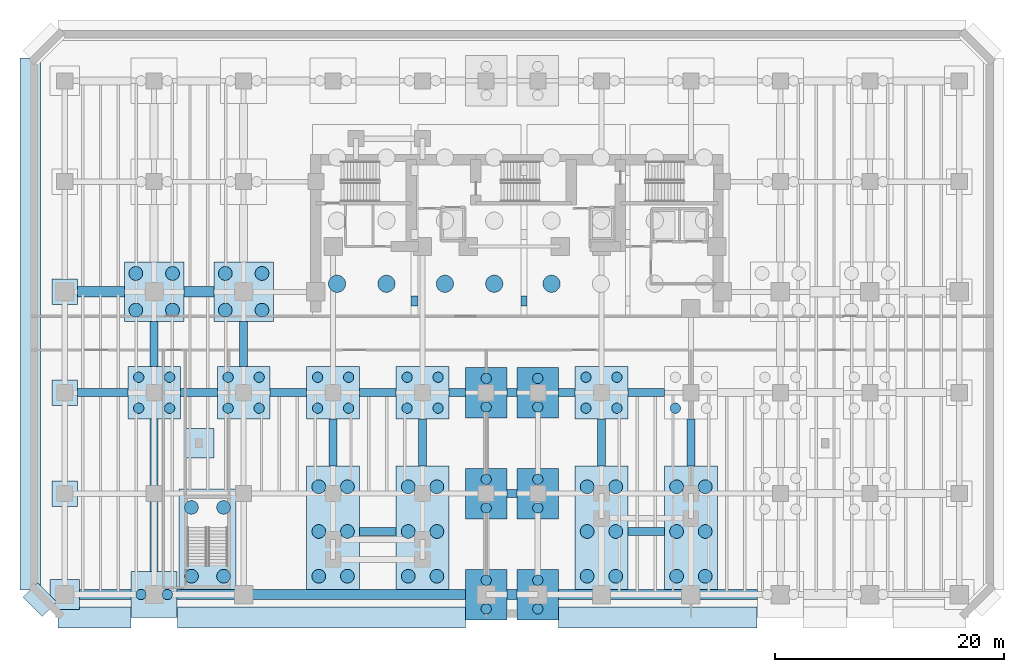
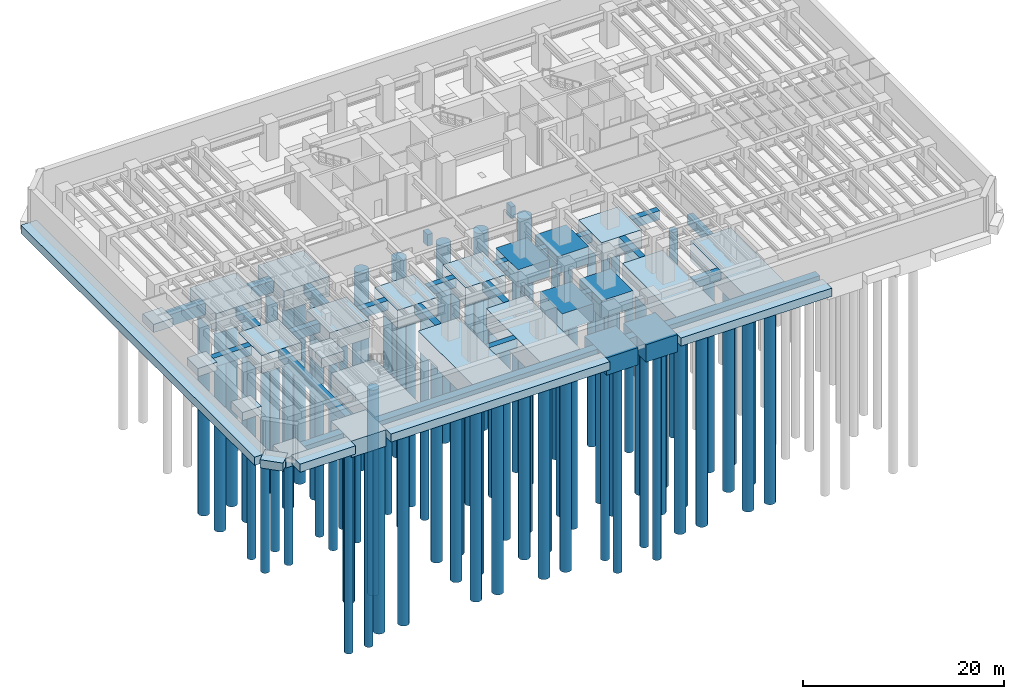
# One storey, part 1 of 13: 76 piles, 55 footings.
"""IFC4 building model written with IfcOpenShell, lengths in metres."""

from ifc_helpers import new_model, si_unit, direction, frame, origin, origin_2d, place, context, subcontext, project, spatial, rectangle, circle, extrude, material, material_profile, profile_set, type_object, element, save


model = new_model("IFC4")

# Units and contexts
model_context = context("Model", 3, precision=1e-05, world=origin(), true_north=direction((0.0, 1.0)))
body_context = subcontext(model_context, "Body", "Model", "MODEL_VIEW")
ifc_project = project(units=[si_unit("LENGTHUNIT", "METRE"), si_unit("AREAUNIT", "SQUARE_METRE"), si_unit("VOLUMEUNIT", "CUBIC_METRE"), si_unit("PLANEANGLEUNIT", "RADIAN"), si_unit("MASSUNIT", "GRAM", prefix="KILO")], contexts=[model_context])

# Site, building, storey
site_placement = place(None, origin())
site = spatial("IfcSite", under=ifc_project, at=site_placement, CompositionType="ELEMENT")
building_placement = place(site_placement, origin())
building = spatial("IfcBuilding", under=site, at=building_placement, Name="Kestravale Grand Hotel", CompositionType="ELEMENT")
storey_placement = place(building_placement, frame((0.0, 0.0, -9.0)))
storey = spatial("IfcBuildingStorey", under=building, at=storey_placement, Name="B2", CompositionType="ELEMENT", Elevation=-9.0)

# Footings
ifc_material_1 = material(Name="Concrete f'c 45 MPa", Category="concrete")
ifc_material_profile_1 = material_profile(ifc_material_1, rectangle(XDim=0.89990234375, YDim=1.39990234375, at=origin_2d()))
ifc_profile_set_1 = profile_set([ifc_material_profile_1], Name="Concrete f'c 45 MPa")
footing_type_1 = type_object("IfcFootingType", Name="FB-TIE-1", PredefinedType="FOOTING_BEAM", material=ifc_profile_set_1)
footing_1_placement = place(storey_placement, frame((30.199951171875, 28.0, -0.699951171875), z_axis=(1.0, 0.0, 0.0), x_axis=(0.0, 1.0, 0.0)))
element("IfcFooting", 1, at=footing_1_placement, inside=storey, type_object=footing_type_1, Name="Core tie beam 1.1", PredefinedType="FOOTING_BEAM", context=body_context, shape_type="SweptSolid", body=[
    extrude(rectangle(XDim=0.89990234375, YDim=1.39990234375, at=origin_2d()), origin(), (0.0, 0.0, 1.0), 0.60009765625),
])
footing_2_placement = place(storey_placement, frame((39.800048828125, 28.0, -0.699951171875), z_axis=(1.0, 0.0, 0.0), x_axis=(0.0, 1.0, 0.0)))
element("IfcFooting", 2, at=footing_2_placement, inside=storey, type_object=footing_type_1, Name="Core tie beam 2.1", PredefinedType="FOOTING_BEAM", context=body_context, shape_type="SweptSolid", body=[
    extrude(rectangle(XDim=0.89990234375, YDim=1.39990234375, at=origin_2d()), origin(), (0.0, 0.0, 1.0), 0.5),
])
footing_3_placement = place(storey_placement, frame((1.300048828125, 2.39990234375, -0.699951171875), z_axis=(1.0, 0.0, 0.0), x_axis=(0.0, 1.0, 0.0)))
element("IfcFooting", 3, at=footing_3_placement, inside=storey, type_object=footing_type_1, Name="Foundation tie beam B:1-2", PredefinedType="FOOTING_BEAM", context=body_context, shape_type="SweptSolid", body=[
    extrude(rectangle(XDim=0.89990234375, YDim=1.39990234375, at=origin_2d()), origin(), (0.0, 0.0, 1.0), 4.5),
])
footing_4_placement = place(storey_placement, frame((9.800048828125, 2.39990234375, -0.699951171875), z_axis=(1.0, 0.0, 0.0), x_axis=(0.0, 1.0, 0.0)))
element("IfcFooting", 4, at=footing_4_placement, inside=storey, type_object=footing_type_1, Name="Foundation tie beam B:2-6", PredefinedType="FOOTING_BEAM", context=body_context, shape_type="SweptSolid", body=[
    extrude(rectangle(XDim=0.89990234375, YDim=1.39990234375, at=origin_2d()), origin(), (0.0, 0.0, 1.0), 25.14990234375),
])
footing_5_placement = place(storey_placement, frame((38.550048828125, 2.39990234375, -0.699951171875), z_axis=(1.0, 0.0, 0.0), x_axis=(0.0, 1.0, 0.0)))
element("IfcFooting", 5, at=footing_5_placement, inside=storey, type_object=footing_type_1, Name="Foundation tie beam B:6-7", PredefinedType="FOOTING_BEAM", context=body_context, shape_type="SweptSolid", body=[
    extrude(rectangle(XDim=0.89990234375, YDim=1.39990234375, at=origin_2d()), origin(), (0.0, 0.0, 1.0), 0.89990234375),
])
footing_6_placement = place(storey_placement, frame((43.050048828125, 2.39990234375, -0.699951171875), z_axis=(1.0, 0.0, 0.0), x_axis=(0.0, 1.0, 0.0)))
element("IfcFooting", 6, at=footing_6_placement, inside=storey, type_object=footing_type_1, Name="Foundation tie beam B:7-10", PredefinedType="FOOTING_BEAM", context=body_context, shape_type="SweptSolid", body=[
    extrude(rectangle(XDim=0.89990234375, YDim=1.39990234375, at=origin_2d()), origin(), (0.0, 0.0, 1.0), 17.349853515625),
])
footing_7_placement = place(storey_placement, frame((1.10009765625, 28.800048828125, -0.699951171875), z_axis=(1.0, 0.0, 0.0), x_axis=(0.0, 1.0, 0.0)))
element("IfcFooting", 7, at=footing_7_placement, inside=storey, type_object=footing_type_1, Name="Foundation tie beam E:1-2", PredefinedType="FOOTING_BEAM", context=body_context, shape_type="SweptSolid", body=[
    extrude(rectangle(XDim=0.89990234375, YDim=1.39990234375, at=origin_2d()), origin(), (0.0, 0.0, 1.0), 4.099853515625),
])
footing_8_placement = place(storey_placement, frame((10.39990234375, 28.800048828125, -0.699951171875), z_axis=(1.0, 0.0, 0.0), x_axis=(0.0, 1.0, 0.0)))
element("IfcFooting", 8, at=footing_8_placement, inside=storey, type_object=footing_type_1, Name="Foundation tie beam E:2-3", PredefinedType="FOOTING_BEAM", context=body_context, shape_type="SweptSolid", body=[
    extrude(rectangle(XDim=0.89990234375, YDim=1.39990234375, at=origin_2d()), origin(), (0.0, 0.0, 1.0), 2.60009765625),
])
ifc_material_2 = material(Name="Concrete f'c 40 MPa", Category="concrete")
ifc_material_profile_2 = material_profile(ifc_material_2, rectangle(XDim=0.699951171875, YDim=1.10009765625, at=origin_2d()))
ifc_profile_set_2 = profile_set([ifc_material_profile_2], Name="Concrete f'c 40 MPa")
footing_type_2 = type_object("IfcFootingType", Name="FB-TIE-2", PredefinedType="FOOTING_BEAM", material=ifc_profile_set_2)
footing_9_placement = place(storey_placement, frame((25.699951171875, 7.89990234375, -0.550048828125), z_axis=(1.0, 0.0, 0.0), x_axis=(0.0, 1.0, 0.0)))
element("IfcFooting", 9, at=footing_9_placement, inside=storey, type_object=footing_type_2, Name="Foundation tie beam C:4-5", PredefinedType="FOOTING_BEAM", context=body_context, shape_type="SweptSolid", body=[
    extrude(rectangle(XDim=0.699951171875, YDim=1.10009765625, at=origin_2d()), origin(), (0.0, 0.0, 1.0), 3.199951171875),
])
footing_10_placement = place(storey_placement, frame((38.550048828125, 11.199951171875, -0.550048828125), z_axis=(1.0, 0.0, 0.0), x_axis=(0.0, 1.0, 0.0)))
element("IfcFooting", 10, at=footing_10_placement, inside=storey, type_object=footing_type_2, Name="Foundation tie beam C:6-7", PredefinedType="FOOTING_BEAM", context=body_context, shape_type="SweptSolid", body=[
    extrude(rectangle(XDim=0.699951171875, YDim=1.10009765625, at=origin_2d()), origin(), (0.0, 0.0, 1.0), 0.89990234375),
])
footing_11_placement = place(storey_placement, frame((49.10009765625, 7.89990234375, -0.550048828125), z_axis=(1.0, 0.0, 0.0), x_axis=(0.0, 1.0, 0.0)))
element("IfcFooting", 11, at=footing_11_placement, inside=storey, type_object=footing_type_2, Name="Foundation tie beam C:8-9", PredefinedType="FOOTING_BEAM", context=body_context, shape_type="SweptSolid", body=[
    extrude(rectangle(XDim=0.699951171875, YDim=1.10009765625, at=origin_2d()), origin(), (0.0, 0.0, 1.0), 3.199951171875),
])
footing_12_placement = place(storey_placement, frame((1.10009765625, 20.0, -0.550048828125), z_axis=(1.0, 0.0, 0.0), x_axis=(0.0, 1.0, 0.0)))
element("IfcFooting", 12, at=footing_12_placement, inside=storey, type_object=footing_type_2, Name="Foundation tie beam D:1-2", PredefinedType="FOOTING_BEAM", context=body_context, shape_type="SweptSolid", body=[
    extrude(rectangle(XDim=0.699951171875, YDim=1.10009765625, at=origin_2d()), origin(), (0.0, 0.0, 1.0), 4.39990234375),
])
footing_13_placement = place(storey_placement, frame((10.10009765625, 20.0, -0.550048828125), z_axis=(1.0, 0.0, 0.0), x_axis=(0.0, 1.0, 0.0)))
element("IfcFooting", 13, at=footing_13_placement, inside=storey, type_object=footing_type_2, Name="Foundation tie beam D:2-3", PredefinedType="FOOTING_BEAM", context=body_context, shape_type="SweptSolid", body=[
    extrude(rectangle(XDim=0.699951171875, YDim=1.10009765625, at=origin_2d()), origin(), (0.0, 0.0, 1.0), 3.199951171875),
])
footing_14_placement = place(storey_placement, frame((17.89990234375, 20.0, -0.550048828125), z_axis=(1.0, 0.0, 0.0), x_axis=(0.0, 1.0, 0.0)))
element("IfcFooting", 14, at=footing_14_placement, inside=storey, type_object=footing_type_2, Name="Foundation tie beam D:3-4", PredefinedType="FOOTING_BEAM", context=body_context, shape_type="SweptSolid", body=[
    extrude(rectangle(XDim=0.699951171875, YDim=1.10009765625, at=origin_2d()), origin(), (0.0, 0.0, 1.0), 3.2001953125),
])
footing_15_placement = place(storey_placement, frame((25.699951171875, 20.0, -0.550048828125), z_axis=(1.0, 0.0, 0.0), x_axis=(0.0, 1.0, 0.0)))
element("IfcFooting", 15, at=footing_15_placement, inside=storey, type_object=footing_type_2, Name="Foundation tie beam D:4-5", PredefinedType="FOOTING_BEAM", context=body_context, shape_type="SweptSolid", body=[
    extrude(rectangle(XDim=0.699951171875, YDim=1.10009765625, at=origin_2d()), origin(), (0.0, 0.0, 1.0), 3.199951171875),
])
footing_16_placement = place(storey_placement, frame((33.5, 20.0, -0.550048828125), z_axis=(1.0, 0.0, 0.0), x_axis=(0.0, 1.0, 0.0)))
element("IfcFooting", 16, at=footing_16_placement, inside=storey, type_object=footing_type_2, Name="Foundation tie beam D:5-6", PredefinedType="FOOTING_BEAM", context=body_context, shape_type="SweptSolid", body=[
    extrude(rectangle(XDim=0.699951171875, YDim=1.10009765625, at=origin_2d()), origin(), (0.0, 0.0, 1.0), 1.449951171875),
])
footing_17_placement = place(storey_placement, frame((38.550048828125, 20.0, -0.550048828125), z_axis=(1.0, 0.0, 0.0), x_axis=(0.0, 1.0, 0.0)))
element("IfcFooting", 17, at=footing_17_placement, inside=storey, type_object=footing_type_2, Name="Foundation tie beam D:6-7", PredefinedType="FOOTING_BEAM", context=body_context, shape_type="SweptSolid", body=[
    extrude(rectangle(XDim=0.699951171875, YDim=1.10009765625, at=origin_2d()), origin(), (0.0, 0.0, 1.0), 0.89990234375),
])
footing_18_placement = place(storey_placement, frame((43.050048828125, 20.0, -0.550048828125), z_axis=(1.0, 0.0, 0.0), x_axis=(0.0, 1.0, 0.0)))
element("IfcFooting", 18, at=footing_18_placement, inside=storey, type_object=footing_type_2, Name="Foundation tie beam D:7-8", PredefinedType="FOOTING_BEAM", context=body_context, shape_type="SweptSolid", body=[
    extrude(rectangle(XDim=0.699951171875, YDim=1.10009765625, at=origin_2d()), origin(), (0.0, 0.0, 1.0), 1.449951171875),
])
footing_19_placement = place(storey_placement, frame((49.10009765625, 20.0, -0.550048828125), z_axis=(1.0, 0.0, 0.0), x_axis=(0.0, 1.0, 0.0)))
element("IfcFooting", 19, at=footing_19_placement, inside=storey, type_object=footing_type_2, Name="Foundation tie beam D:8-9", PredefinedType="FOOTING_BEAM", context=body_context, shape_type="SweptSolid", body=[
    extrude(rectangle(XDim=0.699951171875, YDim=1.10009765625, at=origin_2d()), origin(), (0.0, 0.0, 1.0), 3.199951171875),
])
footing_20_placement = place(storey_placement, frame((7.800048828125, 4.39990234375, -0.550048828125), z_axis=(0.0, 1.0, 0.0), x_axis=(-1.0, 0.0, 0.0)))
element("IfcFooting", 20, at=footing_20_placement, inside=storey, type_object=footing_type_2, Name="Foundation tie beam 2:B-D", PredefinedType="FOOTING_BEAM", context=body_context, shape_type="SweptSolid", body=[
    extrude(rectangle(XDim=0.699951171875, YDim=1.10009765625, at=origin_2d()), origin(), (0.0, 0.0, 1.0), 13.300048828125),
])
for number, where, z_axis, x_axis, name in (
    (21, (7.800048828125, 22.300048828125, -0.550048828125), (0.0, 1.0, 0.0), (-1.0, 0.0, 0.0), "Foundation tie beam 2:D-E"),
    (22, (15.60009765625, 22.300048828125, -0.550048828125), (0.0, 1.0, 0.0), (-1.0, 0.0, 0.0), "Foundation tie beam 3:D-E"),
):
    element("IfcFooting", number, at=place(storey_placement, frame(where, z_axis=z_axis, x_axis=x_axis)), inside=storey, type_object=footing_type_2, Name=name, PredefinedType="FOOTING_BEAM", context=body_context, shape_type="SweptSolid", body=[
        extrude(rectangle(XDim=0.699951171875, YDim=1.10009765625, at=origin_2d()), origin(), (0.0, 0.0, 1.0), 3.89990234375),
    ])
for number, where, z_axis, x_axis, name in (
    (23, (23.39990234375, 13.60009765625, -0.550048828125), (0.0, 1.0, 0.0), (-1.0, 0.0, 0.0), "Foundation tie beam 4:C-D"),
    (24, (31.199951171875, 13.60009765625, -0.550048828125), (0.0, 1.0, 0.0), (-1.0, 0.0, 0.0), "Foundation tie beam 5:C-D"),
    (25, (46.800048828125, 13.60009765625, -0.550048828125), (0.0, 1.0, 0.0), (-1.0, 0.0, 0.0), "Foundation tie beam 8:C-D"),
    (26, (54.60009765625, 13.60009765625, -0.550048828125), (0.0, 1.0, 0.0), (-1.0, 0.0, 0.0), "Foundation tie beam 9:C-D"),
):
    element("IfcFooting", number, at=place(storey_placement, frame(where, z_axis=z_axis, x_axis=x_axis)), inside=storey, type_object=footing_type_2, Name=name, PredefinedType="FOOTING_BEAM", context=body_context, shape_type="SweptSolid", body=[
        extrude(rectangle(XDim=0.699951171875, YDim=1.10009765625, at=origin_2d()), origin(), (0.0, 0.0, 1.0), 4.099853515625),
    ])
ifc_material_3 = material(Name="Concrete f'c 45 MPa", Category="concrete")
footing_type_3 = type_object("IfcFootingType", Name="FC-SLT-D", PredefinedType="PILE_CAP", material=ifc_material_3)
for number, where, z_axis, x_axis, name in (
    (27, (36.75, 2.39990234375, -2.10009765625), (0.0, 0.0, 1.0), (1.0, 0.0, 0.0), "Foundation FTG-6-B"),
    (28, (36.75, 11.199951171875, -2.10009765625), (0.0, 0.0, 1.0), (1.0, 0.0, 0.0), "Foundation FTG-6-C"),
    (29, (36.75, 20.0, -2.10009765625), (0.0, 0.0, 1.0), (1.0, 0.0, 0.0), "Foundation FTG-6-D"),
    (30, (41.25, 2.39990234375, -2.10009765625), (0.0, 0.0, 1.0), (1.0, 0.0, 0.0), "Foundation FTG-7-B"),
    (31, (41.25, 11.199951171875, -2.10009765625), (0.0, 0.0, 1.0), (1.0, 0.0, 0.0), "Foundation FTG-7-C"),
    (32, (41.25, 20.0, -2.10009765625), (0.0, 0.0, 1.0), (1.0, 0.0, 0.0), "Foundation FTG-7-D"),
):
    element("IfcFooting", number, at=place(storey_placement, frame(where, z_axis=z_axis, x_axis=x_axis)), inside=storey, type_object=footing_type_3, Name=name, PredefinedType="PILE_CAP", context=body_context, shape_type="SweptSolid", body=[
        extrude(rectangle(XDim=3.60009765625, YDim=4.39990234375, at=origin_2d()), origin(), (0.0, 0.0, 1.0), 2.10009765625),
    ])
ifc_material_4 = material(Name="Concrete f'c 45 MPa", Category="concrete")
footing_type_4 = type_object("IfcFootingType", Name="FC-ST4-CAP", PredefinedType="PILE_CAP", material=ifc_material_4)
footing_21_placement = place(storey_placement, frame((12.449951171875, 7.0, -2.2001953125), z_axis=(0.0, 0.0, 1.0), x_axis=(1.0, 0.0, 0.0)))
element("IfcFooting", 33, at=footing_21_placement, inside=storey, type_object=footing_type_4, Name="Stair ST-4 structural pile cap", PredefinedType="PILE_CAP", context=body_context, shape_type="SweptSolid", body=[
    extrude(rectangle(XDim=5.0, YDim=9.199951171875, at=origin_2d()), origin(), (0.0, 0.0, 1.0), 2.199951171875),
])
ifc_material_5 = material(Name="Concrete f'c 45 MPa", Category="concrete")
footing_type_5 = type_object("IfcFootingType", Name="FC-STRP-S", PredefinedType="PILE_CAP", material=ifc_material_5)
for number, where, z_axis, x_axis, name in (
    (34, (23.39990234375, 7.89990234375, -2.39990234375), (0.0, 0.0, 1.0), (1.0, 0.0, 0.0), "Combined south column strap pile cap Grid 4"),
    (35, (31.199951171875, 7.89990234375, -2.39990234375), (0.0, 0.0, 1.0), (1.0, 0.0, 0.0), "Combined south column strap pile cap Grid 5"),
    (36, (46.800048828125, 7.89990234375, -2.39990234375), (0.0, 0.0, 1.0), (1.0, 0.0, 0.0), "Combined south column strap pile cap Grid 8"),
    (37, (54.60009765625, 7.89990234375, -2.39990234375), (0.0, 0.0, 1.0), (1.0, 0.0, 0.0), "Combined south column strap pile cap Grid 9"),
):
    element("IfcFooting", number, at=place(storey_placement, frame(where, z_axis=z_axis, x_axis=x_axis)), inside=storey, type_object=footing_type_5, Name=name, PredefinedType="PILE_CAP", context=body_context, shape_type="SweptSolid", body=[
        extrude(rectangle(XDim=4.60009765625, YDim=11.39990234375, at=origin_2d()), origin(), (0.0, 0.0, 1.0), 2.39990234375),
    ])
ifc_material_6 = material(Name="Concrete f'c 45 MPa", Category="concrete")
footing_type_6 = type_object("IfcFootingType", Name="FC-TWR-A", PredefinedType="PILE_CAP", material=ifc_material_6)
for number, where, z_axis, x_axis, name in (
    (38, (7.800048828125, 28.800048828125, -2.39990234375), (0.0, 0.0, 1.0), (1.0, 0.0, 0.0), "Foundation FTG-2-E"),
    (39, (15.60009765625, 28.800048828125, -2.39990234375), (0.0, 0.0, 1.0), (1.0, 0.0, 0.0), "Foundation FTG-3-E"),
):
    element("IfcFooting", number, at=place(storey_placement, frame(where, z_axis=z_axis, x_axis=x_axis)), inside=storey, type_object=footing_type_6, Name=name, PredefinedType="PILE_CAP", context=body_context, shape_type="SweptSolid", body=[
        extrude(rectangle(XDim=5.199951171875, YDim=5.199951171875, at=origin_2d()), origin(), (0.0, 0.0, 1.0), 2.39990234375),
    ])
ifc_material_7 = material(Name="Concrete f'c 45 MPa", Category="concrete")
footing_type_7 = type_object("IfcFootingType", Name="FC-TWR-B", PredefinedType="PILE_CAP", material=ifc_material_7)
for number, where, z_axis, x_axis, name in (
    (40, (7.800048828125, 20.0, -2.2001953125), (0.0, 0.0, 1.0), (1.0, 0.0, 0.0), "Foundation FTG-2-D"),
    (41, (15.60009765625, 20.0, -2.2001953125), (0.0, 0.0, 1.0), (1.0, 0.0, 0.0), "Foundation FTG-3-D"),
    (42, (23.39990234375, 20.0, -2.2001953125), (0.0, 0.0, 1.0), (1.0, 0.0, 0.0), "Foundation FTG-4-D"),
    (43, (31.199951171875, 20.0, -2.2001953125), (0.0, 0.0, 1.0), (1.0, 0.0, 0.0), "Foundation FTG-5-D"),
    (44, (46.800048828125, 20.0, -2.2001953125), (0.0, 0.0, 1.0), (1.0, 0.0, 0.0), "Foundation FTG-8-D"),
):
    element("IfcFooting", number, at=place(storey_placement, frame(where, z_axis=z_axis, x_axis=x_axis)), inside=storey, type_object=footing_type_7, Name=name, PredefinedType="PILE_CAP", context=body_context, shape_type="SweptSolid", body=[
        extrude(rectangle(XDim=4.60009765625, YDim=4.60009765625, at=origin_2d()), origin(), (0.0, 0.0, 1.0), 2.199951171875),
    ])
ifc_material_8 = material(Name="Concrete f'c 40 MPa", Category="concrete")
footing_type_8 = type_object("IfcFootingType", Name="FC-TWR-C", PredefinedType="PILE_CAP", material=ifc_material_8)
footing_22_placement = place(storey_placement, frame((7.800048828125, 2.39990234375, -2.0), z_axis=(0.0, 0.0, 1.0), x_axis=(1.0, 0.0, 0.0)))
element("IfcFooting", 45, at=footing_22_placement, inside=storey, type_object=footing_type_8, Name="Foundation FTG-2-B", PredefinedType="PILE_CAP", context=body_context, shape_type="SweptSolid", body=[
    extrude(rectangle(XDim=4.0, YDim=4.0, at=origin_2d()), origin(), (0.0, 0.0, 1.0), 2.0),
])
ifc_material_9 = material(Name="Concrete f'c 40 MPa", Category="concrete")
footing_type_9 = type_object("IfcFootingType", Name="FD-POD-2", PredefinedType="PAD_FOOTING", material=ifc_material_9)
for number, where, z_axis, x_axis, name in (
    (46, (0.0, 2.39990234375, -1.2001953125), (0.0, 0.0, 1.0), (1.0, 0.0, 0.0), "Foundation FTG-1-B"),
    (47, (11.699951171875, 15.60009765625, -1.2001953125), (0.0, 0.0, 1.0), (1.0, 0.0, 0.0), "Foundation FTG-P1-P"),
):
    element("IfcFooting", number, at=place(storey_placement, frame(where, z_axis=z_axis, x_axis=x_axis)), inside=storey, type_object=footing_type_9, Name=name, PredefinedType="PAD_FOOTING", context=body_context, shape_type="SweptSolid", body=[
        extrude(rectangle(XDim=2.60009765625, YDim=2.60009765625, at=origin_2d()), origin(), (0.0, 0.0, 1.0), 1.199951171875),
    ])
ifc_material_10 = material(Name="Concrete f'c 40 MPa", Category="concrete")
footing_type_10 = type_object("IfcFootingType", Name="FD-POD-3", PredefinedType="PAD_FOOTING", material=ifc_material_10)
for number, where, z_axis, x_axis, name in (
    (48, (0.0, 11.199951171875, -1.0), (0.0, 0.0, 1.0), (1.0, 0.0, 0.0), "Foundation FTG-1-C"),
    (49, (0.0, 20.0, -1.0), (0.0, 0.0, 1.0), (1.0, 0.0, 0.0), "Foundation FTG-1-D"),
    (50, (0.0, 28.800048828125, -1.0), (0.0, 0.0, 1.0), (1.0, 0.0, 0.0), "Foundation FTG-1-E"),
):
    element("IfcFooting", number, at=place(storey_placement, frame(where, z_axis=z_axis, x_axis=x_axis)), inside=storey, type_object=footing_type_10, Name=name, PredefinedType="PAD_FOOTING", context=body_context, shape_type="SweptSolid", body=[
        extrude(rectangle(XDim=2.199951171875, YDim=2.199951171875, at=origin_2d()), origin(), (0.0, 0.0, 1.0), 1.0),
    ])
ifc_material_11 = material(Name="Concrete f'c 40 MPa", Category="concrete")
ifc_material_profile_3 = material_profile(ifc_material_11, rectangle(XDim=1.800048828125, YDim=1.0, at=origin_2d()))
ifc_profile_set_3 = profile_set([ifc_material_profile_3], Name="Concrete f'c 40 MPa")
footing_type_11 = type_object("IfcFootingType", Name="FS-RET-1", PredefinedType="STRIP_FOOTING", material=ifc_profile_set_3)
footing_23_placement = place(storey_placement, frame((-0.60009765625, 0.39990234375, -0.5), z_axis=(1.0, 0.0, 0.0), x_axis=(0.0, 1.0, 0.0)))
element("IfcFooting", 51, at=footing_23_placement, inside=storey, type_object=footing_type_11, Name="Retaining wall strip footing 1", PredefinedType="STRIP_FOOTING", context=body_context, shape_type="SweptSolid", body=[
    extrude(rectangle(XDim=1.800048828125, YDim=1.0, at=origin_2d()), origin(), (0.0, 0.0, 1.0), 6.380126953125),
])
footing_24_placement = place(storey_placement, frame((9.820068359375, 0.39990234375, -0.5), z_axis=(1.0, 0.0, 0.0), x_axis=(0.0, 1.0, 0.0)))
element("IfcFooting", 52, at=footing_24_placement, inside=storey, type_object=footing_type_11, Name="Retaining wall strip footing 2", PredefinedType="STRIP_FOOTING", context=body_context, shape_type="SweptSolid", body=[
    extrude(rectangle(XDim=1.800048828125, YDim=1.0, at=origin_2d()), origin(), (0.0, 0.0, 1.0), 25.10986328125),
])
footing_25_placement = place(storey_placement, frame((43.070068359375, 0.39990234375, -0.5), z_axis=(1.0, 0.0, 0.0), x_axis=(0.0, 1.0, 0.0)))
element("IfcFooting", 53, at=footing_25_placement, inside=storey, type_object=footing_type_11, Name="Retaining wall strip footing 3", PredefinedType="STRIP_FOOTING", context=body_context, shape_type="SweptSolid", body=[
    extrude(rectangle(XDim=1.800048828125, YDim=1.0, at=origin_2d()), origin(), (0.0, 0.0, 1.0), 17.309814453125),
])
footing_26_placement = place(storey_placement, frame((-3.0, 49.199951171875, -0.5), z_axis=(0.0, -1.0, 0.0), x_axis=(1.0, 0.0, 0.0)))
element("IfcFooting", 54, at=footing_26_placement, inside=storey, type_object=footing_type_11, Name="Retaining wall strip footing 11", PredefinedType="STRIP_FOOTING", context=body_context, shape_type="SweptSolid", body=[
    extrude(rectangle(XDim=1.800048828125, YDim=1.0, at=origin_2d()), origin(), (0.0, 0.0, 1.0), 46.39990234375),
])
footing_27_placement = place(storey_placement, frame((-3.0, 2.800048828125, -0.5), z_axis=(0.707106781187, -0.707106781187, 0.0), x_axis=(0.707106781187, 0.707106781187, 0.0)))
element("IfcFooting", 55, at=footing_27_placement, inside=storey, type_object=footing_type_11, Name="Retaining wall strip footing 12", PredefinedType="STRIP_FOOTING", context=body_context, shape_type="SweptSolid", body=[
    extrude(rectangle(XDim=1.800048828125, YDim=1.0, at=origin_2d()), origin(), (0.0, 0.0, 1.0), 2.375732421875),
])

# Piles
ifc_material_12 = material(Name="Concrete f'c 45 MPa", Category="concrete")
ifc_material_profile_4 = material_profile(ifc_material_12, circle(Radius=0.60009765625, at=origin_2d()))
ifc_profile_set_4 = profile_set([ifc_material_profile_4], Name="Concrete f'c 45 MPa")
pile_type_1 = type_object("IfcPileType", Name="PILE-1200", PredefinedType="BORED", material=ifc_profile_set_4)
for number, where, z_axis, x_axis, name in (
    (56, (11.050048828125, 4.0, -2.050048828125), (0.0, 0.0, -1.0), (1.0, 0.0, 0.0), "Bored pile ST4-1"),
    (57, (13.85009765625, 4.0, -2.050048828125), (0.0, 0.0, -1.0), (1.0, 0.0, 0.0), "Bored pile ST4-2"),
    (58, (11.050048828125, 10.0, -2.050048828125), (0.0, 0.0, -1.0), (1.0, 0.0, 0.0), "Bored pile ST4-3"),
    (59, (13.85009765625, 10.0, -2.050048828125), (0.0, 0.0, -1.0), (1.0, 0.0, 0.0), "Bored pile ST4-4"),
):
    element("IfcPile", number, at=place(storey_placement, frame(where, z_axis=z_axis, x_axis=x_axis)), inside=storey, type_object=pile_type_1, Name=name, PredefinedType="BORED", context=body_context, shape_type="SweptSolid", body=[
        extrude(circle(Radius=0.60009765625, at=origin_2d()), origin(), (0.0, 0.0, 1.0), 24.949951171875),
    ])
for number, where, z_axis, x_axis, name in (
    (60, (22.14990234375, 4.0, -2.25), (0.0, 0.0, -1.0), (1.0, 0.0, 0.0), "Bored pile STRP-4-1"),
    (61, (24.64990234375, 4.0, -2.25), (0.0, 0.0, -1.0), (1.0, 0.0, 0.0), "Bored pile STRP-4-2"),
    (62, (22.14990234375, 7.89990234375, -2.25), (0.0, 0.0, -1.0), (1.0, 0.0, 0.0), "Bored pile STRP-4-3"),
    (63, (24.64990234375, 7.89990234375, -2.25), (0.0, 0.0, -1.0), (1.0, 0.0, 0.0), "Bored pile STRP-4-4"),
    (64, (22.14990234375, 11.800048828125, -2.25), (0.0, 0.0, -1.0), (1.0, 0.0, 0.0), "Bored pile STRP-4-5"),
    (65, (24.64990234375, 11.800048828125, -2.25), (0.0, 0.0, -1.0), (1.0, 0.0, 0.0), "Bored pile STRP-4-6"),
    (66, (29.949951171875, 4.0, -2.25), (0.0, 0.0, -1.0), (1.0, 0.0, 0.0), "Bored pile STRP-5-1"),
    (67, (32.449951171875, 4.0, -2.25), (0.0, 0.0, -1.0), (1.0, 0.0, 0.0), "Bored pile STRP-5-2"),
    (68, (29.949951171875, 7.89990234375, -2.25), (0.0, 0.0, -1.0), (1.0, 0.0, 0.0), "Bored pile STRP-5-3"),
    (69, (32.449951171875, 7.89990234375, -2.25), (0.0, 0.0, -1.0), (1.0, 0.0, 0.0), "Bored pile STRP-5-4"),
    (70, (29.949951171875, 11.800048828125, -2.25), (0.0, 0.0, -1.0), (1.0, 0.0, 0.0), "Bored pile STRP-5-5"),
    (71, (32.449951171875, 11.800048828125, -2.25), (0.0, 0.0, -1.0), (1.0, 0.0, 0.0), "Bored pile STRP-5-6"),
    (72, (45.550048828125, 4.0, -2.25), (0.0, 0.0, -1.0), (1.0, 0.0, 0.0), "Bored pile STRP-8-1"),
    (73, (48.050048828125, 4.0, -2.25), (0.0, 0.0, -1.0), (1.0, 0.0, 0.0), "Bored pile STRP-8-2"),
    (74, (45.550048828125, 7.89990234375, -2.25), (0.0, 0.0, -1.0), (1.0, 0.0, 0.0), "Bored pile STRP-8-3"),
    (75, (48.050048828125, 7.89990234375, -2.25), (0.0, 0.0, -1.0), (1.0, 0.0, 0.0), "Bored pile STRP-8-4"),
    (76, (45.550048828125, 11.800048828125, -2.25), (0.0, 0.0, -1.0), (1.0, 0.0, 0.0), "Bored pile STRP-8-5"),
    (77, (48.050048828125, 11.800048828125, -2.25), (0.0, 0.0, -1.0), (1.0, 0.0, 0.0), "Bored pile STRP-8-6"),
    (78, (53.35009765625, 4.0, -2.25), (0.0, 0.0, -1.0), (1.0, 0.0, 0.0), "Bored pile STRP-9-1"),
    (79, (55.85009765625, 4.0, -2.25), (0.0, 0.0, -1.0), (1.0, 0.0, 0.0), "Bored pile STRP-9-2"),
    (80, (53.35009765625, 7.89990234375, -2.25), (0.0, 0.0, -1.0), (1.0, 0.0, 0.0), "Bored pile STRP-9-3"),
    (81, (55.85009765625, 7.89990234375, -2.25), (0.0, 0.0, -1.0), (1.0, 0.0, 0.0), "Bored pile STRP-9-4"),
    (82, (53.35009765625, 11.800048828125, -2.25), (0.0, 0.0, -1.0), (1.0, 0.0, 0.0), "Bored pile STRP-9-5"),
    (83, (55.85009765625, 11.800048828125, -2.25), (0.0, 0.0, -1.0), (1.0, 0.0, 0.0), "Bored pile STRP-9-6"),
    (84, (6.199951171875, 27.199951171875, -2.25), (0.0, 0.0, -1.0), (1.0, 0.0, 0.0), "Bored pile 2-E-1"),
    (85, (9.39990234375, 27.199951171875, -2.25), (0.0, 0.0, -1.0), (1.0, 0.0, 0.0), "Bored pile 2-E-2"),
    (86, (6.199951171875, 30.39990234375, -2.25), (0.0, 0.0, -1.0), (1.0, 0.0, 0.0), "Bored pile 2-E-3"),
    (87, (9.39990234375, 30.39990234375, -2.25), (0.0, 0.0, -1.0), (1.0, 0.0, 0.0), "Bored pile 2-E-4"),
    (88, (14.0, 27.199951171875, -2.25), (0.0, 0.0, -1.0), (1.0, 0.0, 0.0), "Bored pile 3-E-1"),
    (89, (17.199951171875, 27.199951171875, -2.25), (0.0, 0.0, -1.0), (1.0, 0.0, 0.0), "Bored pile 3-E-2"),
    (90, (14.0, 30.39990234375, -2.25), (0.0, 0.0, -1.0), (1.0, 0.0, 0.0), "Bored pile 3-E-3"),
    (91, (17.199951171875, 30.39990234375, -2.25), (0.0, 0.0, -1.0), (1.0, 0.0, 0.0), "Bored pile 3-E-4"),
):
    element("IfcPile", number, at=place(storey_placement, frame(where, z_axis=z_axis, x_axis=x_axis)), inside=storey, type_object=pile_type_1, Name=name, PredefinedType="BORED", context=body_context, shape_type="SweptSolid", body=[
        extrude(circle(Radius=0.60009765625, at=origin_2d()), origin(), (0.0, 0.0, 1.0), 24.75),
    ])
ifc_material_13 = material(Name="Concrete f'c 45 MPa", Category="concrete")
ifc_material_profile_5 = material_profile(ifc_material_13, circle(Radius=0.75, at=origin_2d()))
ifc_profile_set_5 = profile_set([ifc_material_profile_5], Name="Concrete f'c 45 MPa")
pile_type_2 = type_object("IfcPileType", Name="PILE-1500", PredefinedType="BORED", material=ifc_profile_set_5)
for number, where, z_axis, x_axis, name in (
    (92, (23.75, 29.5, -3.050048828125), (0.0, 0.0, -1.0), (1.0, 0.0, 0.0), "Bored pile FC-CORE-W-01"),
    (93, (28.050048828125, 29.5, -3.050048828125), (0.0, 0.0, -1.0), (1.0, 0.0, 0.0), "Bored pile FC-CORE-W-04"),
    (94, (33.14990234375, 29.5, -3.050048828125), (0.0, 0.0, -1.0), (1.0, 0.0, 0.0), "Bored pile FC-CORE-CW-01"),
    (95, (37.449951171875, 29.5, -3.050048828125), (0.0, 0.0, -1.0), (1.0, 0.0, 0.0), "Bored pile FC-CORE-CW-04"),
    (96, (42.449951171875, 29.5, -3.050048828125), (0.0, 0.0, -1.0), (1.0, 0.0, 0.0), "Bored pile FC-CORE-CE-01"),
):
    element("IfcPile", number, at=place(storey_placement, frame(where, z_axis=z_axis, x_axis=x_axis)), inside=storey, type_object=pile_type_2, Name=name, PredefinedType="BORED", context=body_context, shape_type="SweptSolid", body=[
        extrude(circle(Radius=0.75, at=origin_2d()), origin(), (0.0, 0.0, 1.0), 23.949951171875),
    ])
ifc_material_14 = material(Name="Concrete f'c 40 MPa", Category="concrete")
ifc_material_profile_6 = material_profile(ifc_material_14, circle(Radius=0.449951171875, at=origin_2d()))
ifc_profile_set_6 = profile_set([ifc_material_profile_6], Name="Concrete f'c 40 MPa")
pile_type_3 = type_object("IfcPileType", Name="PILE-900", PredefinedType="BORED", material=ifc_profile_set_6)
for number, where, z_axis, x_axis, name in (
    (97, (6.64990234375, 2.39990234375, -1.85009765625), (0.0, 0.0, -1.0), (1.0, 0.0, 0.0), "Bored pile 2-B-1"),
    (98, (8.949951171875, 2.39990234375, -1.85009765625), (0.0, 0.0, -1.0), (1.0, 0.0, 0.0), "Bored pile 2-B-2"),
):
    element("IfcPile", number, at=place(storey_placement, frame(where, z_axis=z_axis, x_axis=x_axis)), inside=storey, type_object=pile_type_3, Name=name, PredefinedType="BORED", context=body_context, shape_type="SweptSolid", body=[
        extrude(circle(Radius=0.449951171875, at=origin_2d()), origin(), (0.0, 0.0, 1.0), 25.14990234375),
    ])
for number, where, z_axis, x_axis, name in (
    (99, (6.449951171875, 18.64990234375, -2.050048828125), (0.0, 0.0, -1.0), (1.0, 0.0, 0.0), "Bored pile 2-D-1"),
    (100, (9.14990234375, 18.64990234375, -2.050048828125), (0.0, 0.0, -1.0), (1.0, 0.0, 0.0), "Bored pile 2-D-2"),
    (101, (6.449951171875, 21.35009765625, -2.050048828125), (0.0, 0.0, -1.0), (1.0, 0.0, 0.0), "Bored pile 2-D-3"),
    (102, (9.14990234375, 21.35009765625, -2.050048828125), (0.0, 0.0, -1.0), (1.0, 0.0, 0.0), "Bored pile 2-D-4"),
    (103, (14.25, 18.64990234375, -2.050048828125), (0.0, 0.0, -1.0), (1.0, 0.0, 0.0), "Bored pile 3-D-1"),
    (104, (16.949951171875, 18.64990234375, -2.050048828125), (0.0, 0.0, -1.0), (1.0, 0.0, 0.0), "Bored pile 3-D-2"),
    (105, (14.25, 21.35009765625, -2.050048828125), (0.0, 0.0, -1.0), (1.0, 0.0, 0.0), "Bored pile 3-D-3"),
    (106, (16.949951171875, 21.35009765625, -2.050048828125), (0.0, 0.0, -1.0), (1.0, 0.0, 0.0), "Bored pile 3-D-4"),
    (107, (22.050048828125, 18.64990234375, -2.050048828125), (0.0, 0.0, -1.0), (1.0, 0.0, 0.0), "Bored pile 4-D-1"),
    (108, (24.75, 18.64990234375, -2.050048828125), (0.0, 0.0, -1.0), (1.0, 0.0, 0.0), "Bored pile 4-D-2"),
    (109, (22.050048828125, 21.35009765625, -2.050048828125), (0.0, 0.0, -1.0), (1.0, 0.0, 0.0), "Bored pile 4-D-3"),
    (110, (24.75, 21.35009765625, -2.050048828125), (0.0, 0.0, -1.0), (1.0, 0.0, 0.0), "Bored pile 4-D-4"),
    (111, (29.85009765625, 18.64990234375, -2.050048828125), (0.0, 0.0, -1.0), (1.0, 0.0, 0.0), "Bored pile 5-D-1"),
    (112, (32.550048828125, 18.64990234375, -2.050048828125), (0.0, 0.0, -1.0), (1.0, 0.0, 0.0), "Bored pile 5-D-2"),
    (113, (29.85009765625, 21.35009765625, -2.050048828125), (0.0, 0.0, -1.0), (1.0, 0.0, 0.0), "Bored pile 5-D-3"),
    (114, (32.550048828125, 21.35009765625, -2.050048828125), (0.0, 0.0, -1.0), (1.0, 0.0, 0.0), "Bored pile 5-D-4"),
):
    element("IfcPile", number, at=place(storey_placement, frame(where, z_axis=z_axis, x_axis=x_axis)), inside=storey, type_object=pile_type_3, Name=name, PredefinedType="BORED", context=body_context, shape_type="SweptSolid", body=[
        extrude(circle(Radius=0.449951171875, at=origin_2d()), origin(), (0.0, 0.0, 1.0), 24.949951171875),
    ])
for number, where, z_axis, x_axis, name in (
    (115, (36.75, 1.14990234375, -1.949951171875), (0.0, 0.0, -1.0), (1.0, 0.0, 0.0), "Bored pile 6-B-1"),
    (116, (36.75, 3.64990234375, -1.949951171875), (0.0, 0.0, -1.0), (1.0, 0.0, 0.0), "Bored pile 6-B-2"),
    (117, (36.75, 9.949951171875, -1.949951171875), (0.0, 0.0, -1.0), (1.0, 0.0, 0.0), "Bored pile 6-C-1"),
    (118, (36.75, 12.449951171875, -1.949951171875), (0.0, 0.0, -1.0), (1.0, 0.0, 0.0), "Bored pile 6-C-2"),
    (119, (36.75, 18.75, -1.949951171875), (0.0, 0.0, -1.0), (1.0, 0.0, 0.0), "Bored pile 6-D-1"),
    (120, (36.75, 21.25, -1.949951171875), (0.0, 0.0, -1.0), (1.0, 0.0, 0.0), "Bored pile 6-D-2"),
    (121, (41.25, 1.14990234375, -1.949951171875), (0.0, 0.0, -1.0), (1.0, 0.0, 0.0), "Bored pile 7-B-1"),
    (122, (41.25, 3.64990234375, -1.949951171875), (0.0, 0.0, -1.0), (1.0, 0.0, 0.0), "Bored pile 7-B-2"),
    (123, (41.25, 9.949951171875, -1.949951171875), (0.0, 0.0, -1.0), (1.0, 0.0, 0.0), "Bored pile 7-C-1"),
    (124, (41.25, 12.449951171875, -1.949951171875), (0.0, 0.0, -1.0), (1.0, 0.0, 0.0), "Bored pile 7-C-2"),
    (125, (41.25, 18.75, -1.949951171875), (0.0, 0.0, -1.0), (1.0, 0.0, 0.0), "Bored pile 7-D-1"),
    (126, (41.25, 21.25, -1.949951171875), (0.0, 0.0, -1.0), (1.0, 0.0, 0.0), "Bored pile 7-D-2"),
):
    element("IfcPile", number, at=place(storey_placement, frame(where, z_axis=z_axis, x_axis=x_axis)), inside=storey, type_object=pile_type_3, Name=name, PredefinedType="BORED", context=body_context, shape_type="SweptSolid", body=[
        extrude(circle(Radius=0.449951171875, at=origin_2d()), origin(), (0.0, 0.0, 1.0), 25.050048828125),
    ])
for number, where, z_axis, x_axis, name in (
    (127, (45.449951171875, 18.64990234375, -2.050048828125), (0.0, 0.0, -1.0), (1.0, 0.0, 0.0), "Bored pile 8-D-1"),
    (128, (48.14990234375, 18.64990234375, -2.050048828125), (0.0, 0.0, -1.0), (1.0, 0.0, 0.0), "Bored pile 8-D-2"),
    (129, (45.449951171875, 21.35009765625, -2.050048828125), (0.0, 0.0, -1.0), (1.0, 0.0, 0.0), "Bored pile 8-D-3"),
    (130, (48.14990234375, 21.35009765625, -2.050048828125), (0.0, 0.0, -1.0), (1.0, 0.0, 0.0), "Bored pile 8-D-4"),
    (131, (53.25, 18.64990234375, -2.050048828125), (0.0, 0.0, -1.0), (1.0, 0.0, 0.0), "Bored pile 9-D-1"),
):
    element("IfcPile", number, at=place(storey_placement, frame(where, z_axis=z_axis, x_axis=x_axis)), inside=storey, type_object=pile_type_3, Name=name, PredefinedType="BORED", context=body_context, shape_type="SweptSolid", body=[
        extrude(circle(Radius=0.449951171875, at=origin_2d()), origin(), (0.0, 0.0, 1.0), 24.949951171875),
    ])

save(model, "model.ifc")
